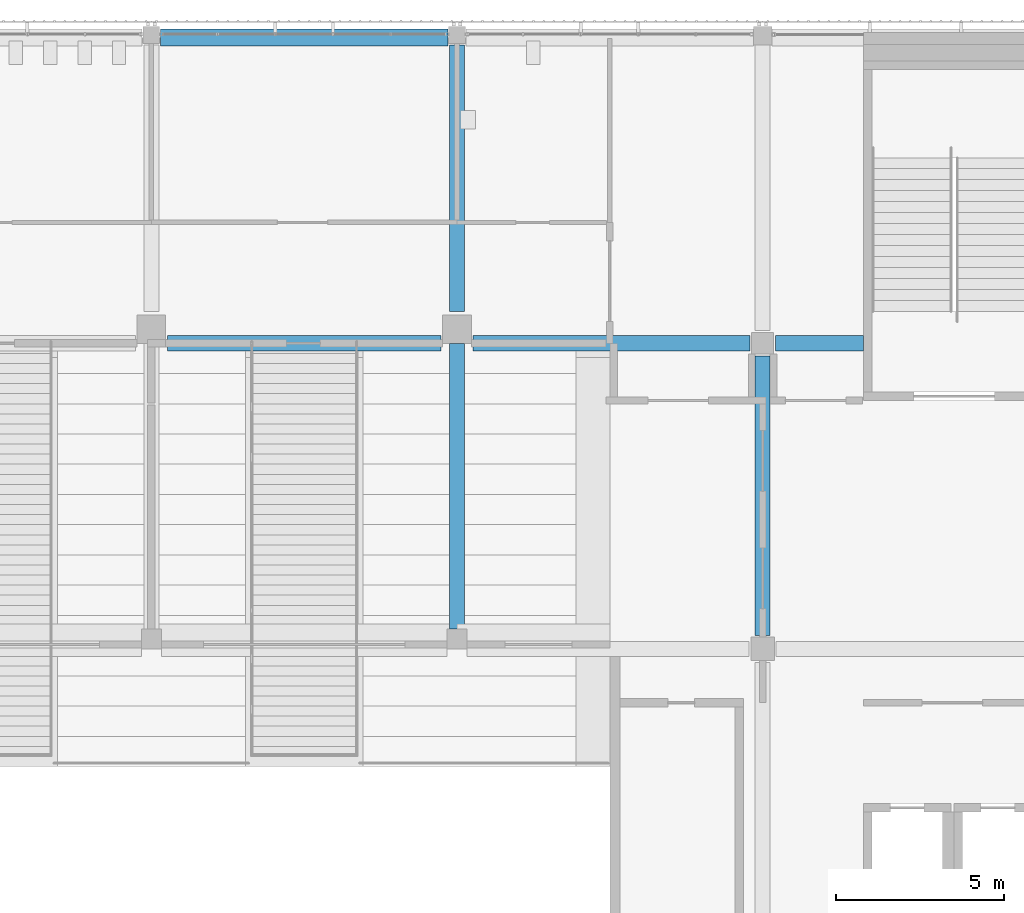
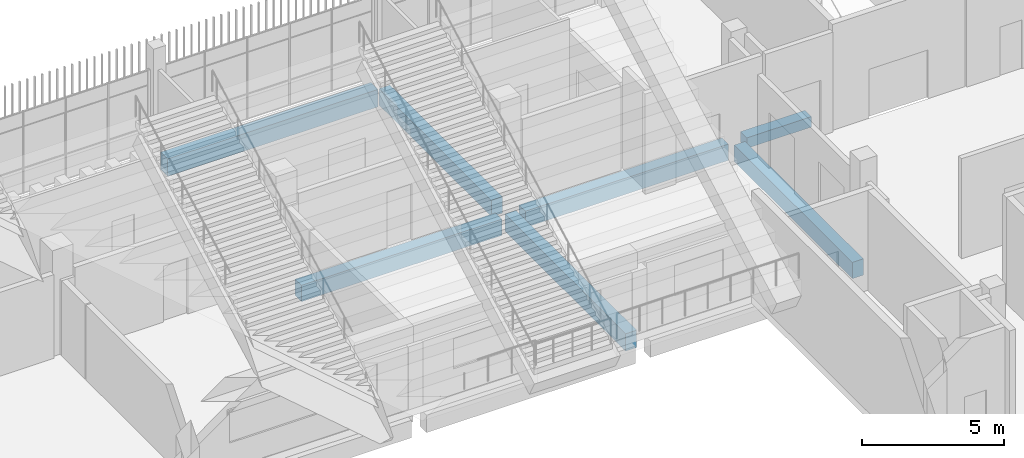
# One storey, part 49 of 139: 7 beams.
"""IFC4 building model written with IfcOpenShell, lengths in metres."""

from ifc_helpers import new_model, si_unit, direction, frame, origin, origin_2d, place, context, subcontext, project, spatial, rectangle, extrude, material, material_profile, profile_set, type_object, element, save


model = new_model("IFC4")

# Units and contexts
model_context = context("Model", 3, precision=1e-05, world=origin(), true_north=direction((0.0, 1.0)))
body_context = subcontext(model_context, "Body", "Model", "MODEL_VIEW")
ifc_project = project(units=[si_unit("LENGTHUNIT", "METRE"), si_unit("AREAUNIT", "SQUARE_METRE"), si_unit("VOLUMEUNIT", "CUBIC_METRE"), si_unit("PLANEANGLEUNIT", "RADIAN"), si_unit("MASSUNIT", "GRAM", prefix="KILO")], contexts=[model_context])

# Site, building, storey
site_placement = place(None, origin())
site = spatial("IfcSite", under=ifc_project, at=site_placement, CompositionType="ELEMENT")
building_placement = place(site_placement, origin())
building = spatial("IfcBuilding", under=site, at=building_placement, Name="Shirokan Park Arena", CompositionType="ELEMENT")
storey_placement = place(building_placement, frame((0.0, 0.0, 15.469970703125)))
storey = spatial("IfcBuildingStorey", under=building, at=storey_placement, Name="L03", CompositionType="ELEMENT", Elevation=15.469970703125)

# Beams
ifc_material = material(Name="Concrete C35", Category="concrete")
ifc_material_profile_1 = material_profile(ifc_material, rectangle(XDim=0.449951171875, YDim=0.699951171875, at=origin_2d()), Name="450x700")
ifc_profile_set_1 = profile_set([ifc_material_profile_1], Name="Concrete C35")
beam_type_1 = type_object("IfcBeamType", Name="RC girder 450x700", PredefinedType="BEAM", material=ifc_profile_set_1)
beam_1_placement = place(storey_placement, frame((91.47509765625, 100.10009765625, -0.64990234375), z_axis=(1.0, 0.0, 0.0), x_axis=(0.0, 1.0, 0.0)))
element("IfcBeam", 1, at=beam_1_placement, inside=storey, type_object=beam_type_1, Name="Girder 11M-12M L03", PredefinedType="BEAM", context=body_context, shape_type="SweptSolid", body=[
    extrude(rectangle(XDim=0.449951171875, YDim=0.699951171875, at=origin_2d()), origin(), (0.0, 0.0, 1.0), 8.14990234375),
])
beam_2_placement = place(storey_placement, frame((100.5751953125, 100.10009765625, -0.64990234375), z_axis=(1.0, 0.0, 0.0), x_axis=(0.0, 1.0, 0.0)))
element("IfcBeam", 2, at=beam_2_placement, inside=storey, type_object=beam_type_1, Name="Girder 12M-13M L03", PredefinedType="BEAM", context=body_context, shape_type="SweptSolid", body=[
    extrude(rectangle(XDim=0.449951171875, YDim=0.699951171875, at=origin_2d()), origin(), (0.0, 0.0, 1.0), 8.249755859375),
])
beam_3_placement = place(storey_placement, frame((100.10009765625, 101.050048828125, -0.64990234375), z_axis=(0.0, 1.0, 0.0), x_axis=(-1.0, 0.0, 0.0)))
element("IfcBeam", 3, at=beam_3_placement, inside=storey, type_object=beam_type_1, Name="Girder 12M-12N L03", PredefinedType="BEAM", context=body_context, shape_type="SweptSolid", body=[
    extrude(rectangle(XDim=0.449951171875, YDim=0.699951171875, at=origin_2d()), origin(), (0.0, 0.0, 1.0), 7.9248046875),
])
beam_4_placement = place(storey_placement, frame((109.199951171875, 91.400146484375, -0.64990234375), z_axis=(0.0, 1.0, 0.0), x_axis=(-1.0, 0.0, 0.0)))
element("IfcBeam", 4, at=beam_4_placement, inside=storey, type_object=beam_type_1, Name="Girder 13L-13M L03", PredefinedType="BEAM", context=body_context, shape_type="SweptSolid", body=[
    extrude(rectangle(XDim=0.449951171875, YDim=0.699951171875, at=origin_2d()), origin(), (0.0, 0.0, 1.0), 8.32470703125),
])
ifc_material_profile_2 = material_profile(ifc_material, rectangle(XDim=0.449951171875, YDim=0.75, at=origin_2d()), Name="450x750")
ifc_profile_set_2 = profile_set([ifc_material_profile_2], Name="Concrete C35")
beam_type_2 = type_object("IfcBeamType", Name="RC girder 450x750", PredefinedType="BEAM", material=ifc_profile_set_2)
beam_5_placement = place(storey_placement, frame((100.10009765625, 91.60009765625, -0.675048828125), z_axis=(0.0, 1.0, 0.0), x_axis=(-1.0, 0.0, 0.0)))
element("IfcBeam", 5, at=beam_5_placement, inside=storey, type_object=beam_type_2, Name="Girder 12L-12M L03", PredefinedType="BEAM", context=body_context, shape_type="SweptSolid", body=[
    extrude(rectangle(XDim=0.449951171875, YDim=0.75, at=origin_2d()), origin(), (0.0, 0.0, 1.0), 8.499755859375),
])
ifc_material_profile_3 = material_profile(ifc_material, rectangle(XDim=0.5, YDim=0.75, at=origin_2d()), Name="500x750")
ifc_profile_set_3 = profile_set([ifc_material_profile_3], Name="Concrete C35")
beam_type_3 = type_object("IfcBeamType", Name="RC girder 500x750", PredefinedType="BEAM", material=ifc_profile_set_3)
beam_6_placement = place(storey_placement, frame((91.275146484375, 109.199951171875, -0.675048828125), z_axis=(1.0, 0.0, 0.0), x_axis=(0.0, 1.0, 0.0)))
element("IfcBeam", 6, at=beam_6_placement, inside=storey, type_object=beam_type_3, Name="Girder 11N-12N L03", PredefinedType="BEAM", context=body_context, shape_type="SweptSolid", body=[
    extrude(rectangle(XDim=0.5, YDim=0.75, at=origin_2d()), origin(), (0.0, 0.0, 1.0), 8.5498046875),
])
ifc_material_profile_4 = material_profile(ifc_material, rectangle(XDim=0.449951171875, YDim=0.449951171875, at=origin_2d()), Name="450x450")
ifc_profile_set_4 = profile_set([ifc_material_profile_4], Name="Concrete C35")
beam_type_4 = type_object("IfcBeamType", Name="RC trimmer 450x450", PredefinedType="BEAM", material=ifc_profile_set_4)
beam_7_placement = place(storey_placement, frame((109.5751953125, 100.10009765625, -0.52490234375), z_axis=(1.0, 0.0, 0.0), x_axis=(0.0, 1.0, 0.0)))
element("IfcBeam", 7, at=beam_7_placement, inside=storey, type_object=beam_type_4, Name="Girder 13M-14M L03", PredefinedType="BEAM", context=body_context, shape_type="SweptSolid", body=[
    extrude(rectangle(XDim=0.449951171875, YDim=0.449951171875, at=origin_2d()), origin(), (0.0, 0.0, 1.0), 2.624755859375),
])

save(model, "model.ifc")
